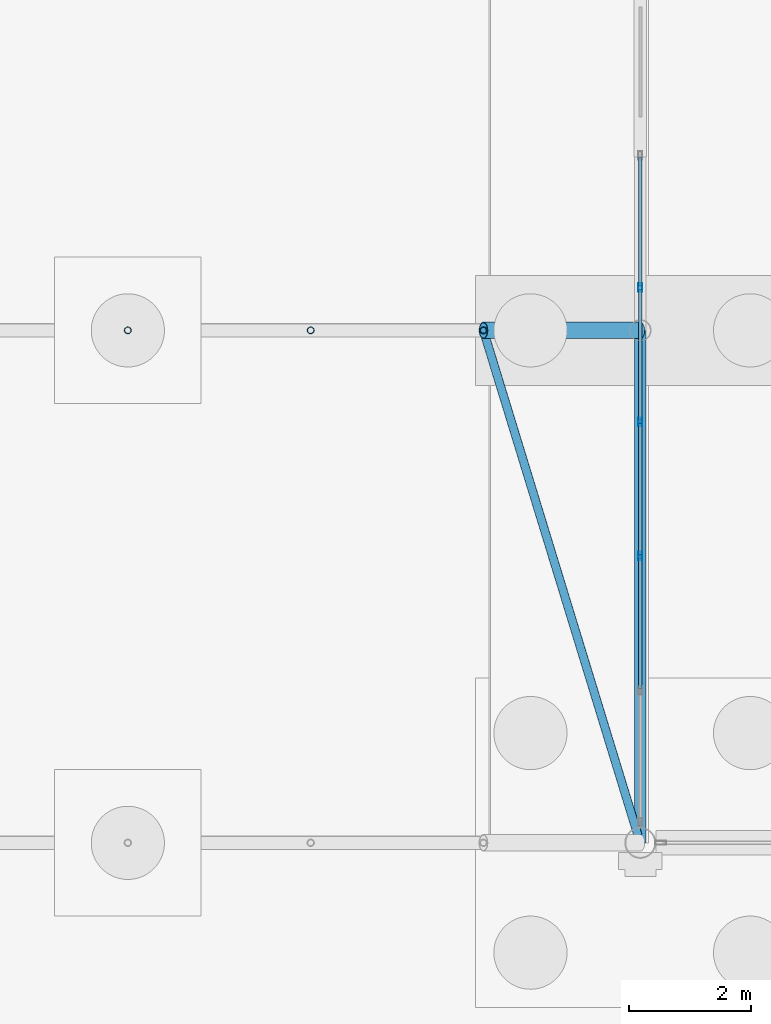
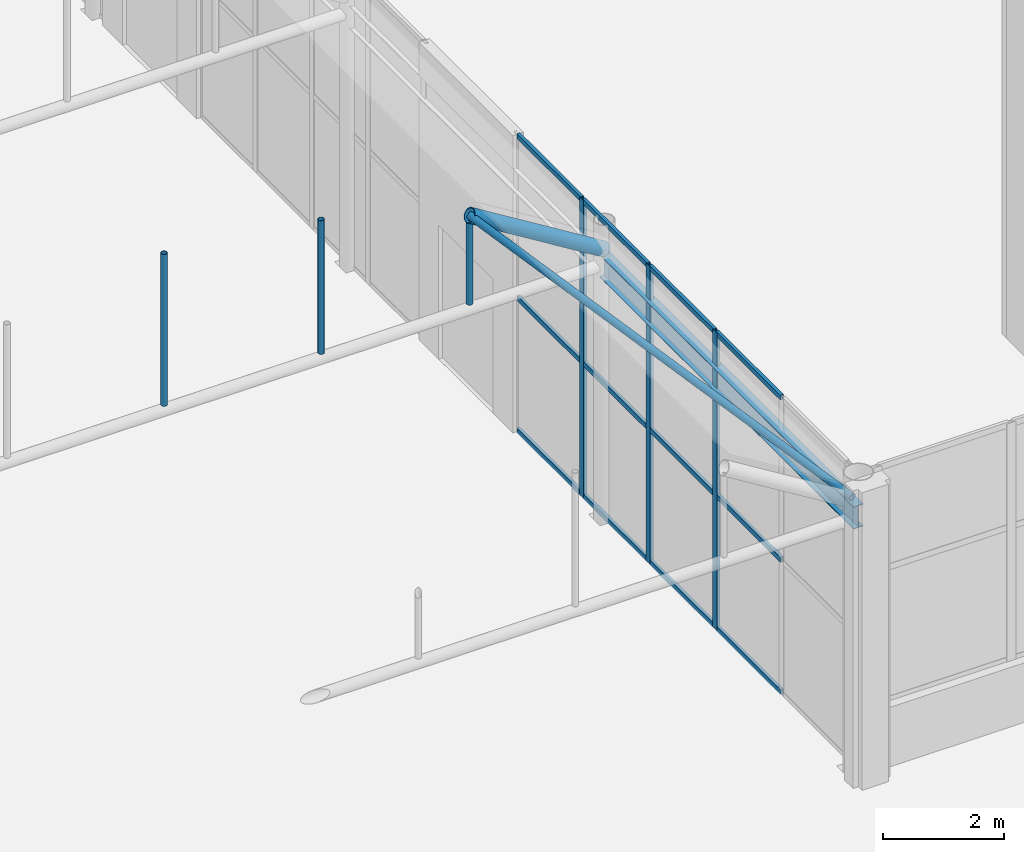
# One storey, part 88 of 212: 20 members, 1 beam, 1 element without a shape of its own.
"""IFC4 building model written with IfcOpenShell, lengths in metres."""

from ifc_helpers import new_model, si_unit, direction, frame, origin, origin_2d, place, context, subcontext, project, spatial, hollow_rectangle, hollow_circle, i_section, extrude, material, material_profile, profile_set, type_object, element, aggregate, save


model = new_model("IFC4")

# Units and contexts
model_context = context("Model", 3, precision=1e-05, world=origin(), true_north=direction((0.0, 1.0)))
body_context = subcontext(model_context, "Body", "Model", "MODEL_VIEW")
ifc_project = project(units=[si_unit("LENGTHUNIT", "METRE"), si_unit("AREAUNIT", "SQUARE_METRE"), si_unit("VOLUMEUNIT", "CUBIC_METRE"), si_unit("PLANEANGLEUNIT", "RADIAN"), si_unit("MASSUNIT", "GRAM", prefix="KILO")], contexts=[model_context])

# Site, building, storey
site_placement = place(None, origin())
site = spatial("IfcSite", under=ifc_project, at=site_placement, CompositionType="ELEMENT")
building_placement = place(site_placement, origin())
building = spatial("IfcBuilding", under=site, at=building_placement, Name="Catenary Quay Ferry Terminal", CompositionType="ELEMENT")
storey_placement = place(building_placement, origin())
storey = spatial("IfcBuildingStorey", under=building, at=storey_placement, Name="L00", CompositionType="ELEMENT", Elevation=0.0)

# Beam
ifc_material_1 = material(Name="Steel S355", Category="steel")
ifc_material_profile_1 = material_profile(ifc_material_1, i_section(OverallWidth=0.18994140625, OverallDepth=0.453369140625, WebThickness=0.008544921875, FlangeThickness=0.0126953125, at=origin_2d()), Name="UB 457x191x67")
ifc_profile_set_1 = profile_set([ifc_material_profile_1], Name="Steel S355")
beam_type = type_object("IfcBeamType", Name="B1 UB 457x191x67", PredefinedType="BEAM", material=ifc_profile_set_1)
beam_placement = place(storey_placement, frame((25.199951171875, 67.199951171875, 5.10009765625), z_axis=(0.0, 1.0, 0.0), x_axis=(-1.0, 0.0, 0.0)))
element("IfcBeam", 1, at=beam_placement, inside=storey, type_object=beam_type, Name="Eaves beam B-FD1", PredefinedType="BEAM", context=body_context, shape_type="SweptSolid", body=[
    extrude(i_section(OverallWidth=0.18994140625, OverallDepth=0.453369140625, WebThickness=0.008544921875, FlangeThickness=0.0126953125, at=origin_2d()), origin(), (0.0, 0.0, 1.0), 8.400146484375),
])

# Members
ifc_material_2 = material(Name="Steel S355", Category="steel")
ifc_material_profile_2 = material_profile(ifc_material_2, hollow_circle(Radius=0.06982421875, WallThickness=0.008056640625, at=origin_2d()), Name="CHS 139.7x8")
ifc_profile_set_2 = profile_set([ifc_material_profile_2], Name="Steel S355")
member_type_1 = type_object("IfcMemberType", Name="BR1 CHS 139.7x8", PredefinedType="BRACE", material=ifc_profile_set_2)
member_1_placement = place(storey_placement, frame((22.62890625, 75.60009765625, 6.98388671875), z_axis=(0.288006581724, -0.941056713544, -0.177382273011), x_axis=(0.956220431368, 0.292647375922, 0.0)))
element("IfcMember", 2, at=member_1_placement, inside=storey, type_object=member_type_1, Name="Roof brace BR-FC-01-06", PredefinedType="BRACE", context=body_context, shape_type="SweptSolid", body=[
    extrude(hollow_circle(Radius=0.06982421875, WallThickness=0.008056640625, at=origin_2d()), origin(), (0.0, 0.0, 1.0), 8.7880859375),
])
ifc_material_3 = material(Name="Steel S355", Category="steel")
ifc_material_profile_3 = material_profile(ifc_material_3, hollow_circle(Radius=0.05712890625, WallThickness=0.00634765625, at=origin_2d()), Name="CHS 114.3x6.3")
ifc_profile_set_3 = profile_set([ifc_material_profile_3], Name="Steel S355")
member_type_2 = type_object("IfcMemberType", Name="HG1 CHS 114.3x6.3", PredefinedType="POST", material=ifc_profile_set_3)
member_2_placement = place(storey_placement, frame((16.800048828125, 75.60009765625, 5.205078125), z_axis=(0.0, 0.0, 1.0), x_axis=(1.0, 0.0, 0.0)))
element("IfcMember", 3, at=member_2_placement, inside=storey, type_object=member_type_2, Name="Hanger FC-02-03", PredefinedType="POST", context=body_context, shape_type="SweptSolid", body=[
    extrude(hollow_circle(Radius=0.05712890625, WallThickness=0.00634765625, at=origin_2d()), origin(), (0.0, 0.0, 1.0), 3.06494140625),
])
member_3_placement = place(storey_placement, frame((19.797119140625, 75.60009765625, 5.205078125), z_axis=(0.0, 0.0, 1.0), x_axis=(1.0, 0.0, 0.0)))
element("IfcMember", 4, at=member_3_placement, inside=storey, type_object=member_type_2, Name="Hanger FC-02-04", PredefinedType="POST", context=body_context, shape_type="SweptSolid", body=[
    extrude(hollow_circle(Radius=0.05712890625, WallThickness=0.00634765625, at=origin_2d()), origin(), (0.0, 0.0, 1.0), 2.69580078125),
])
member_4_placement = place(storey_placement, frame((22.62890625, 75.60009765625, 5.205078125), z_axis=(0.0, 0.0, 1.0), x_axis=(1.0, 0.0, 0.0)))
element("IfcMember", 5, at=member_4_placement, inside=storey, type_object=member_type_2, Name="Hanger FC-02-05", PredefinedType="POST", context=body_context, shape_type="SweptSolid", body=[
    extrude(hollow_circle(Radius=0.05712890625, WallThickness=0.00634765625, at=origin_2d()), origin(), (0.0, 0.0, 1.0), 1.64892578125),
])

# Curtain wall, members
ifc_material_4 = material(Name="Aluminium and glass", Category="aluminium")
curtain_wall_type = type_object("IfcCurtainWallType", Name="CWG", PredefinedType="NOTDEFINED", material=ifc_material_4)
curtain_wall_placement = place(storey_placement, origin())
curtain_wall = element("IfcCurtainWall", 6, at=curtain_wall_placement, inside=storey, type_object=curtain_wall_type, Name="Gable arrivals hall curtain wall CW1", PredefinedType="NOTDEFINED")
ifc_material_5 = material(Name="Aluminium", Category="aluminium")
ifc_material_profile_4 = material_profile(ifc_material_5, hollow_rectangle(XDim=0.06005859375, YDim=0.139892578125, WallThickness=0.006103515625, at=origin_2d()), Name="MU2")
ifc_profile_set_4 = profile_set([ifc_material_profile_4], Name="Aluminium")
member_type_3 = type_object("IfcMemberType", Name="MU2", PredefinedType="MULLION", material=ifc_profile_set_4)
member_5_placement = place(storey_placement, frame((25.199951171875, 71.89990234375, 0.0), z_axis=(0.0, 0.0, 1.0), x_axis=(-1.0, 0.0, 0.0)))
member_5 = element("IfcMember", 7, at=member_5_placement, type_object=member_type_3, Name="CW1 mullion 3", PredefinedType="MULLION", context=body_context, shape_type="SweptSolid", body=[
    extrude(hollow_rectangle(XDim=0.06005859375, YDim=0.139892578125, WallThickness=0.006103515625, at=origin_2d()), origin(), (0.0, 0.0, 1.0), 6.0),
])
member_6_placement = place(storey_placement, frame((25.199951171875, 74.10009765625, 0.0), z_axis=(0.0, 0.0, 1.0), x_axis=(-1.0, 0.0, 0.0)))
member_6 = element("IfcMember", 8, at=member_6_placement, type_object=member_type_3, Name="CW1 mullion 4", PredefinedType="MULLION", context=body_context, shape_type="SweptSolid", body=[
    extrude(hollow_rectangle(XDim=0.06005859375, YDim=0.139892578125, WallThickness=0.006103515625, at=origin_2d()), origin(), (0.0, 0.0, 1.0), 6.0),
])
member_7_placement = place(storey_placement, frame((25.199951171875, 76.300048828125, 0.0), z_axis=(0.0, 0.0, 1.0), x_axis=(-1.0, 0.0, 0.0)))
member_7 = element("IfcMember", 9, at=member_7_placement, type_object=member_type_3, Name="CW1 mullion 5", PredefinedType="MULLION", context=body_context, shape_type="SweptSolid", body=[
    extrude(hollow_rectangle(XDim=0.06005859375, YDim=0.139892578125, WallThickness=0.006103515625, at=origin_2d()), origin(), (0.0, 0.0, 1.0), 6.0),
])
ifc_material_6 = material(Name="Aluminium", Category="aluminium")
ifc_material_profile_5 = material_profile(ifc_material_6, hollow_rectangle(XDim=0.06005859375, YDim=0.10009765625, WallThickness=0.0048828125, at=origin_2d()), Name="TR2")
ifc_profile_set_5 = profile_set([ifc_material_profile_5], Name="Aluminium")
member_type_4 = type_object("IfcMemberType", Name="TR2", PredefinedType="USERDEFINED", material=ifc_profile_set_5)
member_8_placement = place(storey_placement, frame((25.199951171875, 69.72998046875, 0.030029296875), z_axis=(0.0, 1.0, 0.0), x_axis=(-1.0, 0.0, 0.0)))
member_8 = element("IfcMember", 10, at=member_8_placement, type_object=member_type_4, Name="CW1 transom 2.1", ObjectType="TRANSOM", PredefinedType="USERDEFINED", context=body_context, shape_type="SweptSolid", body=[
    extrude(hollow_rectangle(XDim=0.06005859375, YDim=0.10009765625, WallThickness=0.0048828125, at=origin_2d()), origin(), (0.0, 0.0, 1.0), 2.14013671875),
])
member_9_placement = place(storey_placement, frame((25.199951171875, 69.72998046875, 2.699951171875), z_axis=(0.0, 1.0, 0.0), x_axis=(-1.0, 0.0, 0.0)))
member_9 = element("IfcMember", 11, at=member_9_placement, type_object=member_type_4, Name="CW1 transom 2.2", ObjectType="TRANSOM", PredefinedType="USERDEFINED", context=body_context, shape_type="SweptSolid", body=[
    extrude(hollow_rectangle(XDim=0.06005859375, YDim=0.10009765625, WallThickness=0.0048828125, at=origin_2d()), origin(), (0.0, 0.0, 1.0), 2.14013671875),
])
member_10_placement = place(storey_placement, frame((25.199951171875, 69.72998046875, 5.969970703125), z_axis=(0.0, 1.0, 0.0), x_axis=(-1.0, 0.0, 0.0)))
member_10 = element("IfcMember", 12, at=member_10_placement, type_object=member_type_4, Name="CW1 transom 2.3", ObjectType="TRANSOM", PredefinedType="USERDEFINED", context=body_context, shape_type="SweptSolid", body=[
    extrude(hollow_rectangle(XDim=0.06005859375, YDim=0.10009765625, WallThickness=0.0048828125, at=origin_2d()), origin(), (0.0, 0.0, 1.0), 2.14013671875),
])
member_11_placement = place(storey_placement, frame((25.199951171875, 71.929931640625, 0.030029296875), z_axis=(0.0, 1.0, 0.0), x_axis=(-1.0, 0.0, 0.0)))
member_11 = element("IfcMember", 13, at=member_11_placement, type_object=member_type_4, Name="CW1 transom 3.1", ObjectType="TRANSOM", PredefinedType="USERDEFINED", context=body_context, shape_type="SweptSolid", body=[
    extrude(hollow_rectangle(XDim=0.06005859375, YDim=0.10009765625, WallThickness=0.0048828125, at=origin_2d()), origin(), (0.0, 0.0, 1.0), 2.14013671875),
])
member_12_placement = place(storey_placement, frame((25.199951171875, 71.929931640625, 2.699951171875), z_axis=(0.0, 1.0, 0.0), x_axis=(-1.0, 0.0, 0.0)))
member_12 = element("IfcMember", 14, at=member_12_placement, type_object=member_type_4, Name="CW1 transom 3.2", ObjectType="TRANSOM", PredefinedType="USERDEFINED", context=body_context, shape_type="SweptSolid", body=[
    extrude(hollow_rectangle(XDim=0.06005859375, YDim=0.10009765625, WallThickness=0.0048828125, at=origin_2d()), origin(), (0.0, 0.0, 1.0), 2.14013671875),
])
member_13_placement = place(storey_placement, frame((25.199951171875, 71.929931640625, 5.969970703125), z_axis=(0.0, 1.0, 0.0), x_axis=(-1.0, 0.0, 0.0)))
member_13 = element("IfcMember", 15, at=member_13_placement, type_object=member_type_4, Name="CW1 transom 3.3", ObjectType="TRANSOM", PredefinedType="USERDEFINED", context=body_context, shape_type="SweptSolid", body=[
    extrude(hollow_rectangle(XDim=0.06005859375, YDim=0.10009765625, WallThickness=0.0048828125, at=origin_2d()), origin(), (0.0, 0.0, 1.0), 2.14013671875),
])
member_14_placement = place(storey_placement, frame((25.199951171875, 74.1298828125, 0.030029296875), z_axis=(0.0, 1.0, 0.0), x_axis=(-1.0, 0.0, 0.0)))
member_14 = element("IfcMember", 16, at=member_14_placement, type_object=member_type_4, Name="CW1 transom 4.1", ObjectType="TRANSOM", PredefinedType="USERDEFINED", context=body_context, shape_type="SweptSolid", body=[
    extrude(hollow_rectangle(XDim=0.06005859375, YDim=0.10009765625, WallThickness=0.0048828125, at=origin_2d()), origin(), (0.0, 0.0, 1.0), 2.14013671875),
])
member_15_placement = place(storey_placement, frame((25.199951171875, 74.1298828125, 2.699951171875), z_axis=(0.0, 1.0, 0.0), x_axis=(-1.0, 0.0, 0.0)))
member_15 = element("IfcMember", 17, at=member_15_placement, type_object=member_type_4, Name="CW1 transom 4.2", ObjectType="TRANSOM", PredefinedType="USERDEFINED", context=body_context, shape_type="SweptSolid", body=[
    extrude(hollow_rectangle(XDim=0.06005859375, YDim=0.10009765625, WallThickness=0.0048828125, at=origin_2d()), origin(), (0.0, 0.0, 1.0), 2.14013671875),
])
member_16_placement = place(storey_placement, frame((25.199951171875, 74.1298828125, 5.969970703125), z_axis=(0.0, 1.0, 0.0), x_axis=(-1.0, 0.0, 0.0)))
member_16 = element("IfcMember", 18, at=member_16_placement, type_object=member_type_4, Name="CW1 transom 4.3", ObjectType="TRANSOM", PredefinedType="USERDEFINED", context=body_context, shape_type="SweptSolid", body=[
    extrude(hollow_rectangle(XDim=0.06005859375, YDim=0.10009765625, WallThickness=0.0048828125, at=origin_2d()), origin(), (0.0, 0.0, 1.0), 2.14013671875),
])
member_17_placement = place(storey_placement, frame((25.199951171875, 76.330078125, 0.030029296875), z_axis=(0.0, 1.0, 0.0), x_axis=(-1.0, 0.0, 0.0)))
member_17 = element("IfcMember", 19, at=member_17_placement, type_object=member_type_4, Name="CW1 transom 5.1", ObjectType="TRANSOM", PredefinedType="USERDEFINED", context=body_context, shape_type="SweptSolid", body=[
    extrude(hollow_rectangle(XDim=0.06005859375, YDim=0.10009765625, WallThickness=0.0048828125, at=origin_2d()), origin(), (0.0, 0.0, 1.0), 2.10986328125),
])
member_18_placement = place(storey_placement, frame((25.199951171875, 76.330078125, 2.699951171875), z_axis=(0.0, 1.0, 0.0), x_axis=(-1.0, 0.0, 0.0)))
member_18 = element("IfcMember", 20, at=member_18_placement, type_object=member_type_4, Name="CW1 transom 5.2", ObjectType="TRANSOM", PredefinedType="USERDEFINED", context=body_context, shape_type="SweptSolid", body=[
    extrude(hollow_rectangle(XDim=0.06005859375, YDim=0.10009765625, WallThickness=0.0048828125, at=origin_2d()), origin(), (0.0, 0.0, 1.0), 2.10986328125),
])
member_19_placement = place(storey_placement, frame((25.199951171875, 76.330078125, 5.969970703125), z_axis=(0.0, 1.0, 0.0), x_axis=(-1.0, 0.0, 0.0)))
member_19 = element("IfcMember", 21, at=member_19_placement, type_object=member_type_4, Name="CW1 transom 5.3", ObjectType="TRANSOM", PredefinedType="USERDEFINED", context=body_context, shape_type="SweptSolid", body=[
    extrude(hollow_rectangle(XDim=0.06005859375, YDim=0.10009765625, WallThickness=0.0048828125, at=origin_2d()), origin(), (0.0, 0.0, 1.0), 2.10986328125),
])
aggregate(curtain_wall, [member_5, member_6, member_7, member_8, member_9, member_10, member_11, member_12, member_13, member_14, member_15, member_16, member_17, member_18, member_19])

# Member
ifc_material_7 = material(Name="Steel S355", Category="steel")
ifc_material_profile_6 = material_profile(ifc_material_7, hollow_circle(Radius=0.136474609375, WallThickness=0.012451171875, at=origin_2d()), Name="CHS 273x12.5")
ifc_profile_set_6 = profile_set([ifc_material_profile_6], Name="Steel S355")
member_type_5 = type_object("IfcMemberType", Name="VR2 CHS 273x12.5", PredefinedType="RAFTER", material=ifc_profile_set_6)
member_20_placement = place(storey_placement, frame((22.62890625, 75.60009765625, 6.98388671875), z_axis=(0.851391726314, 0.0, -0.524530388408), x_axis=(0.0, 1.0, 0.0)))
element("IfcMember", 22, at=member_20_placement, inside=storey, type_object=member_type_5, Name="rib FC-02-06", PredefinedType="RAFTER", context=body_context, shape_type="SweptSolid", body=[
    extrude(hollow_circle(Radius=0.136474609375, WallThickness=0.012451171875, at=origin_2d()), origin(), (0.0, 0.0, 1.0), 3.019775390625),
])

save(model, "model.ifc")
